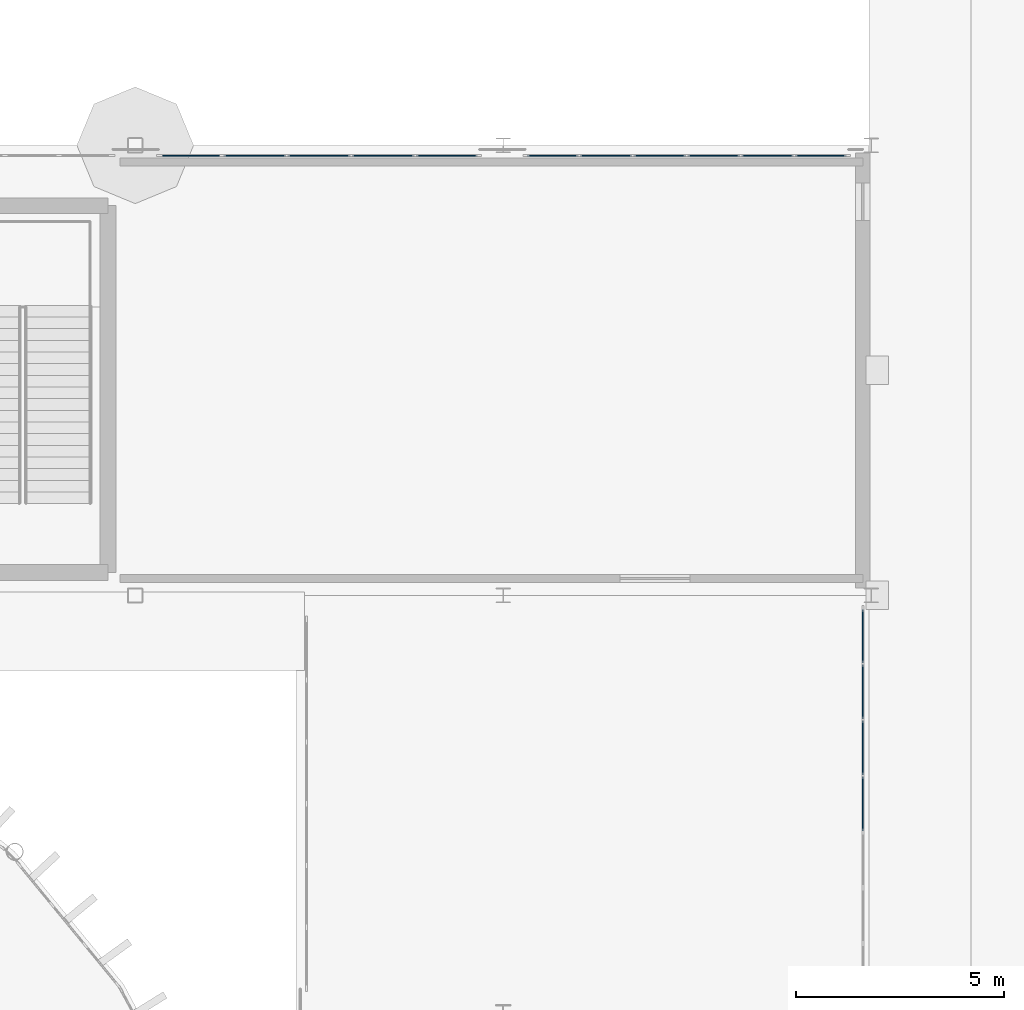
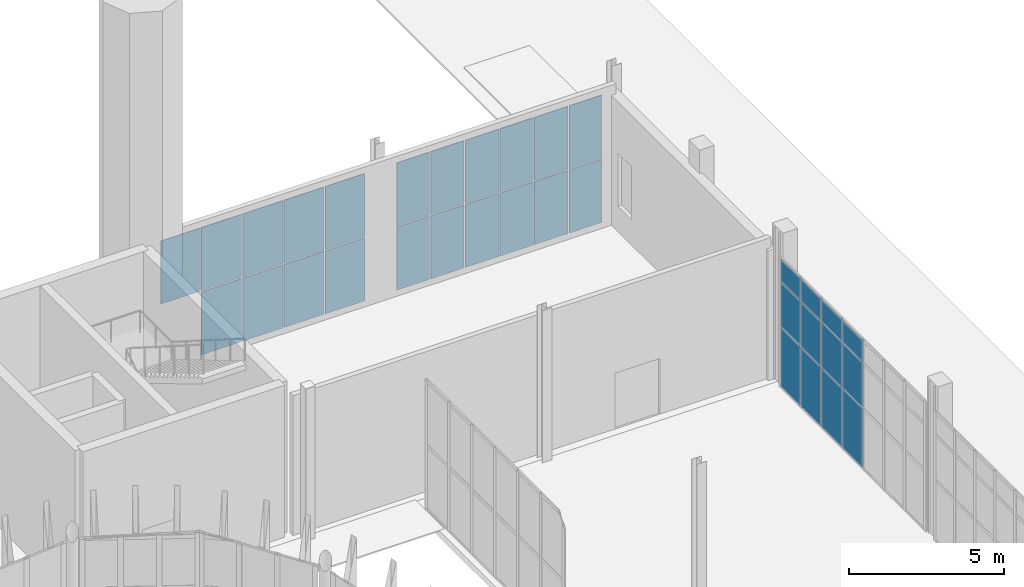
# One storey, part 87 of 139: 33 plates, 3 elements without a shape of their own.
"""IFC4 building model written with IfcOpenShell, lengths in metres."""

import ifcopenshell
import ifcopenshell.guid

model = None  # the IFC model being written
_history = None  # IfcOwnerHistory: only IFC2X3 demands one
_inside = {}  # id of a spatial element -> (the spatial element, [elements in it])
_under = {}  # id of a project, library or spatial element -> (it, [spatial elements below it])
_declared = {}  # id of a project -> (the project, [libraries it declares])
_typed = {}  # id of a type object -> (the type object, [elements of that type])
_made_of = {}  # id of a material, layer set ... -> (it, [elements and type objects made of it])


def new_model(schema):
    """Start an empty IFC model of exactly this schema.

    Asked for "IFC4X3", IfcOpenShell would pick the latest addendum, in which some entities
    have other attributes; the version numbers below select the first issue.
    IFC2X3 requires an IfcOwnerHistory on every rooted entity: one is made here for all.
    """
    global model, _history
    if schema == "IFC4X3":
        model = ifcopenshell.file(schema_version=(4, 3, 0, 0))
    else:
        model = ifcopenshell.file(schema=schema)
    _inside.clear()
    _under.clear()
    _declared.clear()
    _typed.clear()
    _made_of.clear()
    _history = None
    if model.schema == "IFC2X3":
        org = make("IfcOrganization", Name="unknown")
        user = make(
            "IfcPersonAndOrganization",
            ThePerson=make("IfcPerson", FamilyName="unknown"),
            TheOrganization=org,
        )
        app = make(
            "IfcApplication",
            ApplicationDeveloper=org,
            Version="unknown",
            ApplicationFullName="unknown",
            ApplicationIdentifier="unknown",
        )
        _history = make(
            "IfcOwnerHistory",
            OwningUser=user,
            OwningApplication=app,
            ChangeAction="ADDED",
            CreationDate=0,
        )
    return model


def make(cls, **values):
    """One entity of the class cls with the attributes given. An attribute that is None is left unset."""
    return model.create_entity(
        cls, **{name: value for name, value in values.items() if value is not None}
    )


def rooted(cls, **values):
    """An entity with a GlobalId (a new one), such as an element, a storey or a relation."""
    return make(cls, GlobalId=ifcopenshell.guid.new(), OwnerHistory=_history, **values)


def si_unit(unit_type, name, prefix=None):
    """IfcSIUnit, for example si_unit("LENGTHUNIT", "METRE", prefix="MILLI")."""
    return make("IfcSIUnit", UnitType=unit_type, Prefix=prefix, Name=name)


def assignment(units):
    """IfcUnitAssignment: the units of a project."""
    return None if units is None else make("IfcUnitAssignment", Units=units)


def point(xyz):
    """IfcCartesianPoint."""
    return None if xyz is None else make("IfcCartesianPoint", Coordinates=xyz)


def direction(xyz):
    """IfcDirection."""
    return None if xyz is None else make("IfcDirection", DirectionRatios=xyz)


def frame(location, z_axis=None, x_axis=None):
    """IfcAxis2Placement3D, a coordinate frame: its origin and axes. An axis left out is left unset."""
    return make(
        "IfcAxis2Placement3D",
        Location=point(location),
        Axis=direction(z_axis),
        RefDirection=direction(x_axis),
    )


def frame_2d(location, x_axis=None):
    """IfcAxis2Placement2D, a coordinate frame in the plane: its origin and x axis."""
    return make(
        "IfcAxis2Placement2D", Location=point(location), RefDirection=direction(x_axis)
    )


def origin():
    """The frame at (0, 0, 0) with its axes left unset."""
    return frame((0.0, 0.0, 0.0))


def origin_2d():
    """The frame at (0, 0) in the plane with its x axis left unset."""
    return frame_2d((0.0, 0.0))


def place(relative_to, where):
    """IfcLocalPlacement: puts the frame where relative to a parent placement (None: the world)."""
    return make(
        "IfcLocalPlacement", PlacementRelTo=relative_to, RelativePlacement=where
    )


def context(
    kind, dimensions, precision=None, world=None, true_north=None, identifier=None
):
    """IfcGeometricRepresentationContext, for example the 3D "Model" context."""
    return make(
        "IfcGeometricRepresentationContext",
        ContextIdentifier=identifier,
        ContextType=kind,
        CoordinateSpaceDimension=dimensions,
        Precision=precision,
        WorldCoordinateSystem=world,
        TrueNorth=true_north,
    )


def subcontext(parent, identifier, kind, view, scale=None):
    """IfcGeometricRepresentationSubContext, for example "Body" below "Model"."""
    return make(
        "IfcGeometricRepresentationSubContext",
        ContextIdentifier=identifier,
        ContextType=kind,
        ParentContext=parent,
        TargetScale=scale,
        TargetView=view,
    )


def project(units=None, contexts=None):
    """IfcProject with its units and contexts."""
    return rooted(
        "IfcProject",
        Name="project",
        RepresentationContexts=contexts,
        UnitsInContext=assignment(units),
    )


def spatial(cls, under=None, at=None, **own):
    """A site, building, storey or space (cls), placed at a placement, below another one or the project."""
    s = rooted(cls, ObjectPlacement=at, **own)
    if under is not None:
        _under.setdefault(under.id(), (under, []))[1].append(s)
    return s


def profile(cls, at=None, kind="AREA", **sizes):
    """A parametric profile (cls). Its sizes go by their IFC names, for example OverallWidth=200.0."""
    return make(cls, ProfileType=kind, Position=at, **sizes)


def rectangle(**sizes):
    """IfcRectangleProfileDef."""
    return profile("IfcRectangleProfileDef", **sizes)


def extrude(swept, where, along, depth):
    """IfcExtrudedAreaSolid: the profile swept, set in the frame where, extruded along a direction by depth."""
    return make(
        "IfcExtrudedAreaSolid",
        SweptArea=swept,
        Position=where,
        ExtrudedDirection=direction(along),
        Depth=depth,
    )


def shape(context_of_items, identifier, shape_type, items):
    """IfcShapeRepresentation: the items that make up one representation, for example the "Body"."""
    return make(
        "IfcShapeRepresentation",
        ContextOfItems=context_of_items,
        RepresentationIdentifier=identifier,
        RepresentationType=shape_type,
        Items=items,
    )


def material(Name=None, Category=None):
    """IfcMaterial."""
    return make("IfcMaterial", Name=Name, Category=Category)


def layer(
    of_material, thickness, ventilated=None, Name=None, Category=None, Priority=None
):
    """IfcMaterialLayer: one layer of a wall or slab, of a material (None: an air gap)."""
    return make(
        "IfcMaterialLayer",
        Material=of_material,
        LayerThickness=thickness,
        IsVentilated=ventilated,
        Name=Name,
        Category=Category,
        Priority=Priority,
    )


def layer_set(layers, Name=None):
    """IfcMaterialLayerSet."""
    return make("IfcMaterialLayerSet", MaterialLayers=layers, LayerSetName=Name)


def made_of(thing, what):
    """Note that an element or type object is made of a material, layer set ...; save() writes the relation."""
    if what is not None:
        _made_of.setdefault(what.id(), (what, []))[1].append(thing)
    return thing


def type_object(cls, material=None, **own):
    """A type object (cls), such as IfcWallType, which elements share."""
    return made_of(rooted(cls, **own), material)


def element(
    cls,
    number,
    at=None,
    inside=None,
    cuts=None,
    type_object=None,
    material=None,
    context=None,
    identifier="Body",
    shape_type=None,
    held_by="IfcProductDefinitionShape",
    body=None,
    shapes=None,
    **own,
):
    """One element of the class cls, such as IfcWall. Its Tag is "e" and its number.

    at: its placement. inside: the storey or other place that contains it. cuts: it is an
    opening in that element (IfcRelVoidsElement). A single representation is given by context,
    identifier, shape_type and body (its items); several are given by shapes. held_by: the class
    of the entity that holds the representations. save() writes the other relations.
    """
    e = rooted(cls, Tag="e%d" % number, ObjectPlacement=at, **own)
    if body is not None:
        shapes = [shape(context, identifier, shape_type, body)]
    if shapes is not None:
        e.Representation = make(held_by, Representations=shapes)
    if inside is not None:
        _inside.setdefault(inside.id(), (inside, []))[1].append(e)
    if cuts is not None:
        rooted(
            "IfcRelVoidsElement", RelatingBuildingElement=cuts, RelatedOpeningElement=e
        )
    if type_object is not None:
        _typed.setdefault(type_object.id(), (type_object, []))[1].append(e)
    return made_of(e, material)


def aggregate(whole, parts):
    """IfcRelAggregates: a whole, such as a stair, and the parts it consists of."""
    return rooted("IfcRelAggregates", RelatingObject=whole, RelatedObjects=parts)


def save(model, path):
    """Write the relations noted so far, then the file.

    IfcRelAggregates (storeys below a building ...), IfcRelContainedInSpatialStructure (elements
    in a storey), IfcRelDefinesByType, IfcRelAssociatesMaterial and IfcRelDeclares: one each for
    every whole, place, type object, material and project.
    """
    for whole, parts in _under.values():
        aggregate(whole, parts)
    for where, things in _inside.values():
        rooted(
            "IfcRelContainedInSpatialStructure",
            RelatedElements=things,
            RelatingStructure=where,
        )
    for kind, things in _typed.values():
        rooted("IfcRelDefinesByType", RelatedObjects=things, RelatingType=kind)
    for what, things in _made_of.values():
        rooted("IfcRelAssociatesMaterial", RelatedObjects=things, RelatingMaterial=what)
    for by, libraries in _declared.values():
        rooted("IfcRelDeclares", RelatingContext=by, RelatedDefinitions=libraries)
    model.write(path)


model = new_model("IFC4")

# Units and contexts
model_context = context("Model", 3, precision=1e-05, world=origin(), true_north=direction((0.0, 1.0)))
body_context = subcontext(model_context, "Body", "Model", "MODEL_VIEW")
ifc_project = project(units=[si_unit("LENGTHUNIT", "METRE"), si_unit("AREAUNIT", "SQUARE_METRE"), si_unit("VOLUMEUNIT", "CUBIC_METRE"), si_unit("PLANEANGLEUNIT", "RADIAN"), si_unit("MASSUNIT", "GRAM", prefix="KILO")], contexts=[model_context])

# Site, building, storey
site_placement = place(None, origin())
site = spatial("IfcSite", under=ifc_project, at=site_placement, CompositionType="ELEMENT")
building_placement = place(site_placement, origin())
building = spatial("IfcBuilding", under=site, at=building_placement, Name="Yeouljin Market Hall", CompositionType="ELEMENT")
storey_placement = place(building_placement, origin())
storey = spatial("IfcBuildingStorey", under=building, at=storey_placement, Name="L00", CompositionType="ELEMENT", Elevation=0.0)

# Curtain wall, plates
ifc_material_1 = material(Name="Thermally Broken Aluminium", Category="aluminium")
ifc_layer_1 = layer(ifc_material_1, 0.14990234375)
ifc_layer_set_1 = layer_set([ifc_layer_1], Name="Thermally Broken Aluminium")
curtain_wall_type = type_object("IfcCurtainWallType", Name="CW_WingStorefront_System", PredefinedType="USERDEFINED", material=ifc_layer_set_1)
curtain_wall_1_placement = place(storey_placement, origin())
curtain_wall_1 = element("IfcCurtainWall", 1, at=curtain_wall_1_placement, inside=storey, type_object=curtain_wall_type, Name="Curtain wall CW-V3E-L00-2", ObjectType="CURTAIN WALL", PredefinedType="USERDEFINED")
ifc_material_2 = material(Name="Low-E Insulated Glass", Category="glass")
ifc_layer_2 = layer(ifc_material_2, 0.028076171875)
ifc_layer_set_2 = layer_set([ifc_layer_2], Name="Low-E Insulated Glass")
plate_type = type_object("IfcPlateType", Name="CWPanel_LowE_28", PredefinedType="CURTAIN_PANEL", material=ifc_layer_set_2)
plate_1_placement = place(storey_placement, frame((176.199951171875, 77.0166015625, 0.0478515625), z_axis=(0.0, 0.0, 1.0), x_axis=(0.0, -1.0, 0.0)))
plate_1 = element("IfcPlate", 2, at=plate_1_placement, type_object=plate_type, Name="CW-04 panel 1.1", PredefinedType="CURTAIN_PANEL", context=body_context, shape_type="SweptSolid", body=[
    extrude(rectangle(XDim=1.270751953125, YDim=0.028076171875, at=origin_2d()), origin(), (0.0, 0.0, 1.0), 2.327880859375),
])
plate_2_placement = place(storey_placement, frame((176.199951171875, 77.0166015625, 2.424072265625), z_axis=(0.0, 0.0, 1.0), x_axis=(0.0, -1.0, 0.0)))
plate_2 = element("IfcPlate", 3, at=plate_2_placement, type_object=plate_type, Name="CW-04 panel 1.2", PredefinedType="CURTAIN_PANEL", context=body_context, shape_type="SweptSolid", body=[
    extrude(rectangle(XDim=1.270751953125, YDim=0.028076171875, at=origin_2d()), origin(), (0.0, 0.0, 1.0), 1.751953125),
])
plate_3_placement = place(storey_placement, frame((176.199951171875, 77.0166015625, 4.22412109375), z_axis=(0.0, 0.0, 1.0), x_axis=(0.0, -1.0, 0.0)))
plate_3 = element("IfcPlate", 4, at=plate_3_placement, type_object=plate_type, Name="CW-04 panel 1.3", PredefinedType="CURTAIN_PANEL", context=body_context, shape_type="SweptSolid", body=[
    extrude(rectangle(XDim=1.270751953125, YDim=0.028076171875, at=origin_2d()), origin(), (0.0, 0.0, 1.0), 0.847900390625),
])
plate_4_placement = place(storey_placement, frame((176.199951171875, 75.685791015625, 0.0478515625), z_axis=(0.0, 0.0, 1.0), x_axis=(0.0, -1.0, 0.0)))
plate_4 = element("IfcPlate", 5, at=plate_4_placement, type_object=plate_type, Name="CW-04 panel 2.1", PredefinedType="CURTAIN_PANEL", context=body_context, shape_type="SweptSolid", body=[
    extrude(rectangle(XDim=1.294921875, YDim=0.028076171875, at=origin_2d()), origin(), (0.0, 0.0, 1.0), 2.327880859375),
])
plate_5_placement = place(storey_placement, frame((176.199951171875, 75.685791015625, 2.424072265625), z_axis=(0.0, 0.0, 1.0), x_axis=(0.0, -1.0, 0.0)))
plate_5 = element("IfcPlate", 6, at=plate_5_placement, type_object=plate_type, Name="CW-04 panel 2.2", PredefinedType="CURTAIN_PANEL", context=body_context, shape_type="SweptSolid", body=[
    extrude(rectangle(XDim=1.294921875, YDim=0.028076171875, at=origin_2d()), origin(), (0.0, 0.0, 1.0), 1.751953125),
])
plate_6_placement = place(storey_placement, frame((176.199951171875, 75.685791015625, 4.22412109375), z_axis=(0.0, 0.0, 1.0), x_axis=(0.0, -1.0, 0.0)))
plate_6 = element("IfcPlate", 7, at=plate_6_placement, type_object=plate_type, Name="CW-04 panel 2.3", PredefinedType="CURTAIN_PANEL", context=body_context, shape_type="SweptSolid", body=[
    extrude(rectangle(XDim=1.294921875, YDim=0.028076171875, at=origin_2d()), origin(), (0.0, 0.0, 1.0), 0.847900390625),
])
plate_7_placement = place(storey_placement, frame((176.199951171875, 74.3427734375, 0.0478515625), z_axis=(0.0, 0.0, 1.0), x_axis=(0.0, -1.0, 0.0)))
plate_7 = element("IfcPlate", 8, at=plate_7_placement, type_object=plate_type, Name="CW-04 panel 3.1", PredefinedType="CURTAIN_PANEL", context=body_context, shape_type="SweptSolid", body=[
    extrude(rectangle(XDim=1.294921875, YDim=0.028076171875, at=origin_2d()), origin(), (0.0, 0.0, 1.0), 2.327880859375),
])
plate_8_placement = place(storey_placement, frame((176.199951171875, 74.3427734375, 2.424072265625), z_axis=(0.0, 0.0, 1.0), x_axis=(0.0, -1.0, 0.0)))
plate_8 = element("IfcPlate", 9, at=plate_8_placement, type_object=plate_type, Name="CW-04 panel 3.2", PredefinedType="CURTAIN_PANEL", context=body_context, shape_type="SweptSolid", body=[
    extrude(rectangle(XDim=1.294921875, YDim=0.028076171875, at=origin_2d()), origin(), (0.0, 0.0, 1.0), 1.751953125),
])
plate_9_placement = place(storey_placement, frame((176.199951171875, 74.3427734375, 4.22412109375), z_axis=(0.0, 0.0, 1.0), x_axis=(0.0, -1.0, 0.0)))
plate_9 = element("IfcPlate", 10, at=plate_9_placement, type_object=plate_type, Name="CW-04 panel 3.3", PredefinedType="CURTAIN_PANEL", context=body_context, shape_type="SweptSolid", body=[
    extrude(rectangle(XDim=1.294921875, YDim=0.028076171875, at=origin_2d()), origin(), (0.0, 0.0, 1.0), 0.847900390625),
])
plate_10_placement = place(storey_placement, frame((176.199951171875, 73.0, 0.0478515625), z_axis=(0.0, 0.0, 1.0), x_axis=(0.0, -1.0, 0.0)))
plate_10 = element("IfcPlate", 11, at=plate_10_placement, type_object=plate_type, Name="CW-04 panel 4.1", PredefinedType="CURTAIN_PANEL", context=body_context, shape_type="SweptSolid", body=[
    extrude(rectangle(XDim=1.294921875, YDim=0.028076171875, at=origin_2d()), origin(), (0.0, 0.0, 1.0), 2.327880859375),
])
plate_11_placement = place(storey_placement, frame((176.199951171875, 73.0, 2.424072265625), z_axis=(0.0, 0.0, 1.0), x_axis=(0.0, -1.0, 0.0)))
plate_11 = element("IfcPlate", 12, at=plate_11_placement, type_object=plate_type, Name="CW-04 panel 4.2", PredefinedType="CURTAIN_PANEL", context=body_context, shape_type="SweptSolid", body=[
    extrude(rectangle(XDim=1.294921875, YDim=0.028076171875, at=origin_2d()), origin(), (0.0, 0.0, 1.0), 1.751953125),
])
plate_12_placement = place(storey_placement, frame((176.199951171875, 73.0, 4.22412109375), z_axis=(0.0, 0.0, 1.0), x_axis=(0.0, -1.0, 0.0)))
plate_12 = element("IfcPlate", 13, at=plate_12_placement, type_object=plate_type, Name="CW-04 panel 4.3", PredefinedType="CURTAIN_PANEL", context=body_context, shape_type="SweptSolid", body=[
    extrude(rectangle(XDim=1.294921875, YDim=0.028076171875, at=origin_2d()), origin(), (0.0, 0.0, 1.0), 0.847900390625),
])
aggregate(curtain_wall_1, [plate_1, plate_2, plate_3, plate_4, plate_5, plate_6, plate_7, plate_8, plate_9, plate_10, plate_11, plate_12])

curtain_wall_2_placement = place(storey_placement, origin())
curtain_wall_2 = element("IfcCurtainWall", 14, at=curtain_wall_2_placement, inside=storey, type_object=curtain_wall_type, Name="Curtain wall CW-CRT-L00-11", ObjectType="CURTAIN WALL", PredefinedType="USERDEFINED")
plate_13_placement = place(storey_placement, frame((160.08203125, 88.550048828125, 2.583984375), z_axis=(0.0, 0.0, 1.0), x_axis=(1.0, 0.0, 0.0)))
plate_13 = element("IfcPlate", 15, at=plate_13_placement, type_object=plate_type, Name="CW-04 panel 1.2", PredefinedType="CURTAIN_PANEL", context=body_context, shape_type="SweptSolid", body=[
    extrude(rectangle(XDim=1.468017578125, YDim=0.028076171875, at=origin_2d()), origin(), (0.0, 0.0, 1.0), 2.488037109375),
])
plate_14_placement = place(storey_placement, frame((161.610107421875, 88.550048828125, 0.0478515625), z_axis=(0.0, 0.0, 1.0), x_axis=(1.0, 0.0, 0.0)))
plate_14 = element("IfcPlate", 16, at=plate_14_placement, type_object=plate_type, Name="CW-04 panel 2.1", PredefinedType="CURTAIN_PANEL", context=body_context, shape_type="SweptSolid", body=[
    extrude(rectangle(XDim=1.491943359375, YDim=0.028076171875, at=origin_2d()), origin(), (0.0, 0.0, 1.0), 2.488037109375),
])
plate_15_placement = place(storey_placement, frame((161.610107421875, 88.550048828125, 2.583984375), z_axis=(0.0, 0.0, 1.0), x_axis=(1.0, 0.0, 0.0)))
plate_15 = element("IfcPlate", 17, at=plate_15_placement, type_object=plate_type, Name="CW-04 panel 2.2", PredefinedType="CURTAIN_PANEL", context=body_context, shape_type="SweptSolid", body=[
    extrude(rectangle(XDim=1.491943359375, YDim=0.028076171875, at=origin_2d()), origin(), (0.0, 0.0, 1.0), 2.488037109375),
])
plate_16_placement = place(storey_placement, frame((163.14990234375, 88.550048828125, 0.0478515625), z_axis=(0.0, 0.0, 1.0), x_axis=(1.0, 0.0, 0.0)))
plate_16 = element("IfcPlate", 18, at=plate_16_placement, type_object=plate_type, Name="CW-04 panel 3.1", PredefinedType="CURTAIN_PANEL", context=body_context, shape_type="SweptSolid", body=[
    extrude(rectangle(XDim=1.491943359375, YDim=0.028076171875, at=origin_2d()), origin(), (0.0, 0.0, 1.0), 2.488037109375),
])
plate_17_placement = place(storey_placement, frame((163.14990234375, 88.550048828125, 2.583984375), z_axis=(0.0, 0.0, 1.0), x_axis=(1.0, 0.0, 0.0)))
plate_17 = element("IfcPlate", 19, at=plate_17_placement, type_object=plate_type, Name="CW-04 panel 3.2", PredefinedType="CURTAIN_PANEL", context=body_context, shape_type="SweptSolid", body=[
    extrude(rectangle(XDim=1.491943359375, YDim=0.028076171875, at=origin_2d()), origin(), (0.0, 0.0, 1.0), 2.488037109375),
])
plate_18_placement = place(storey_placement, frame((164.68994140625, 88.550048828125, 0.0478515625), z_axis=(0.0, 0.0, 1.0), x_axis=(1.0, 0.0, 0.0)))
plate_18 = element("IfcPlate", 20, at=plate_18_placement, type_object=plate_type, Name="CW-04 panel 4.1", PredefinedType="CURTAIN_PANEL", context=body_context, shape_type="SweptSolid", body=[
    extrude(rectangle(XDim=1.491943359375, YDim=0.028076171875, at=origin_2d()), origin(), (0.0, 0.0, 1.0), 2.488037109375),
])
plate_19_placement = place(storey_placement, frame((164.68994140625, 88.550048828125, 2.583984375), z_axis=(0.0, 0.0, 1.0), x_axis=(1.0, 0.0, 0.0)))
plate_19 = element("IfcPlate", 21, at=plate_19_placement, type_object=plate_type, Name="CW-04 panel 4.2", PredefinedType="CURTAIN_PANEL", context=body_context, shape_type="SweptSolid", body=[
    extrude(rectangle(XDim=1.491943359375, YDim=0.028076171875, at=origin_2d()), origin(), (0.0, 0.0, 1.0), 2.488037109375),
])
plate_20_placement = place(storey_placement, frame((166.218017578125, 88.550048828125, 0.0478515625), z_axis=(0.0, 0.0, 1.0), x_axis=(1.0, 0.0, 0.0)))
plate_20 = element("IfcPlate", 22, at=plate_20_placement, type_object=plate_type, Name="CW-04 panel 5.1", PredefinedType="CURTAIN_PANEL", context=body_context, shape_type="SweptSolid", body=[
    extrude(rectangle(XDim=1.468017578125, YDim=0.028076171875, at=origin_2d()), origin(), (0.0, 0.0, 1.0), 2.488037109375),
])
plate_21_placement = place(storey_placement, frame((166.218017578125, 88.550048828125, 2.583984375), z_axis=(0.0, 0.0, 1.0), x_axis=(1.0, 0.0, 0.0)))
plate_21 = element("IfcPlate", 23, at=plate_21_placement, type_object=plate_type, Name="CW-04 panel 5.2", PredefinedType="CURTAIN_PANEL", context=body_context, shape_type="SweptSolid", body=[
    extrude(rectangle(XDim=1.468017578125, YDim=0.028076171875, at=origin_2d()), origin(), (0.0, 0.0, 1.0), 2.488037109375),
])
aggregate(curtain_wall_2, [plate_13, plate_14, plate_15, plate_16, plate_17, plate_18, plate_19, plate_20, plate_21])

curtain_wall_3_placement = place(storey_placement, origin())
curtain_wall_3 = element("IfcCurtainWall", 24, at=curtain_wall_3_placement, inside=storey, type_object=curtain_wall_type, Name="Curtain wall CW-CRT-L00-12", ObjectType="CURTAIN WALL", PredefinedType="USERDEFINED")
plate_22_placement = place(storey_placement, frame((168.7578125, 88.550048828125, 0.0478515625), z_axis=(0.0, 0.0, 1.0), x_axis=(1.0, 0.0, 0.0)))
plate_22 = element("IfcPlate", 25, at=plate_22_placement, type_object=plate_type, Name="CW-04 panel 1.1", PredefinedType="CURTAIN_PANEL", context=body_context, shape_type="SweptSolid", body=[
    extrude(rectangle(XDim=1.2197265625, YDim=0.028076171875, at=origin_2d()), origin(), (0.0, 0.0, 1.0), 2.488037109375),
])
plate_23_placement = place(storey_placement, frame((168.7578125, 88.550048828125, 2.583984375), z_axis=(0.0, 0.0, 1.0), x_axis=(1.0, 0.0, 0.0)))
plate_23 = element("IfcPlate", 26, at=plate_23_placement, type_object=plate_type, Name="CW-04 panel 1.2", PredefinedType="CURTAIN_PANEL", context=body_context, shape_type="SweptSolid", body=[
    extrude(rectangle(XDim=1.2197265625, YDim=0.028076171875, at=origin_2d()), origin(), (0.0, 0.0, 1.0), 2.488037109375),
])
plate_24_placement = place(storey_placement, frame((170.03759765625, 88.550048828125, 0.0478515625), z_axis=(0.0, 0.0, 1.0), x_axis=(1.0, 0.0, 0.0)))
plate_24 = element("IfcPlate", 27, at=plate_24_placement, type_object=plate_type, Name="CW-04 panel 2.1", PredefinedType="CURTAIN_PANEL", context=body_context, shape_type="SweptSolid", body=[
    extrude(rectangle(XDim=1.24365234375, YDim=0.028076171875, at=origin_2d()), origin(), (0.0, 0.0, 1.0), 2.488037109375),
])
plate_25_placement = place(storey_placement, frame((170.03759765625, 88.550048828125, 2.583984375), z_axis=(0.0, 0.0, 1.0), x_axis=(1.0, 0.0, 0.0)))
plate_25 = element("IfcPlate", 28, at=plate_25_placement, type_object=plate_type, Name="CW-04 panel 2.2", PredefinedType="CURTAIN_PANEL", context=body_context, shape_type="SweptSolid", body=[
    extrude(rectangle(XDim=1.24365234375, YDim=0.028076171875, at=origin_2d()), origin(), (0.0, 0.0, 1.0), 2.488037109375),
])
plate_26_placement = place(storey_placement, frame((171.3291015625, 88.550048828125, 0.0478515625), z_axis=(0.0, 0.0, 1.0), x_axis=(1.0, 0.0, 0.0)))
plate_26 = element("IfcPlate", 29, at=plate_26_placement, type_object=plate_type, Name="CW-04 panel 3.1", PredefinedType="CURTAIN_PANEL", context=body_context, shape_type="SweptSolid", body=[
    extrude(rectangle(XDim=1.24365234375, YDim=0.028076171875, at=origin_2d()), origin(), (0.0, 0.0, 1.0), 2.488037109375),
])
plate_27_placement = place(storey_placement, frame((171.3291015625, 88.550048828125, 2.583984375), z_axis=(0.0, 0.0, 1.0), x_axis=(1.0, 0.0, 0.0)))
plate_27 = element("IfcPlate", 30, at=plate_27_placement, type_object=plate_type, Name="CW-04 panel 3.2", PredefinedType="CURTAIN_PANEL", context=body_context, shape_type="SweptSolid", body=[
    extrude(rectangle(XDim=1.24365234375, YDim=0.028076171875, at=origin_2d()), origin(), (0.0, 0.0, 1.0), 2.488037109375),
])
plate_28_placement = place(storey_placement, frame((172.620849609375, 88.550048828125, 0.0478515625), z_axis=(0.0, 0.0, 1.0), x_axis=(1.0, 0.0, 0.0)))
plate_28 = element("IfcPlate", 31, at=plate_28_placement, type_object=plate_type, Name="CW-04 panel 4.1", PredefinedType="CURTAIN_PANEL", context=body_context, shape_type="SweptSolid", body=[
    extrude(rectangle(XDim=1.24365234375, YDim=0.028076171875, at=origin_2d()), origin(), (0.0, 0.0, 1.0), 2.488037109375),
])
plate_29_placement = place(storey_placement, frame((172.620849609375, 88.550048828125, 2.583984375), z_axis=(0.0, 0.0, 1.0), x_axis=(1.0, 0.0, 0.0)))
plate_29 = element("IfcPlate", 32, at=plate_29_placement, type_object=plate_type, Name="CW-04 panel 4.2", PredefinedType="CURTAIN_PANEL", context=body_context, shape_type="SweptSolid", body=[
    extrude(rectangle(XDim=1.24365234375, YDim=0.028076171875, at=origin_2d()), origin(), (0.0, 0.0, 1.0), 2.488037109375),
])
plate_30_placement = place(storey_placement, frame((173.91259765625, 88.550048828125, 0.0478515625), z_axis=(0.0, 0.0, 1.0), x_axis=(1.0, 0.0, 0.0)))
plate_30 = element("IfcPlate", 33, at=plate_30_placement, type_object=plate_type, Name="CW-04 panel 5.1", PredefinedType="CURTAIN_PANEL", context=body_context, shape_type="SweptSolid", body=[
    extrude(rectangle(XDim=1.24365234375, YDim=0.028076171875, at=origin_2d()), origin(), (0.0, 0.0, 1.0), 2.488037109375),
])
plate_31_placement = place(storey_placement, frame((173.91259765625, 88.550048828125, 2.583984375), z_axis=(0.0, 0.0, 1.0), x_axis=(1.0, 0.0, 0.0)))
plate_31 = element("IfcPlate", 34, at=plate_31_placement, type_object=plate_type, Name="CW-04 panel 5.2", PredefinedType="CURTAIN_PANEL", context=body_context, shape_type="SweptSolid", body=[
    extrude(rectangle(XDim=1.24365234375, YDim=0.028076171875, at=origin_2d()), origin(), (0.0, 0.0, 1.0), 2.488037109375),
])
plate_32_placement = place(storey_placement, frame((175.192138671875, 88.550048828125, 0.0478515625), z_axis=(0.0, 0.0, 1.0), x_axis=(1.0, 0.0, 0.0)))
plate_32 = element("IfcPlate", 35, at=plate_32_placement, type_object=plate_type, Name="CW-04 panel 6.1", PredefinedType="CURTAIN_PANEL", context=body_context, shape_type="SweptSolid", body=[
    extrude(rectangle(XDim=1.2197265625, YDim=0.028076171875, at=origin_2d()), origin(), (0.0, 0.0, 1.0), 2.488037109375),
])
plate_33_placement = place(storey_placement, frame((175.192138671875, 88.550048828125, 2.583984375), z_axis=(0.0, 0.0, 1.0), x_axis=(1.0, 0.0, 0.0)))
plate_33 = element("IfcPlate", 36, at=plate_33_placement, type_object=plate_type, Name="CW-04 panel 6.2", PredefinedType="CURTAIN_PANEL", context=body_context, shape_type="SweptSolid", body=[
    extrude(rectangle(XDim=1.2197265625, YDim=0.028076171875, at=origin_2d()), origin(), (0.0, 0.0, 1.0), 2.488037109375),
])
aggregate(curtain_wall_3, [plate_22, plate_23, plate_24, plate_25, plate_26, plate_27, plate_28, plate_29, plate_30, plate_31, plate_32, plate_33])

save(model, "model.ifc")
